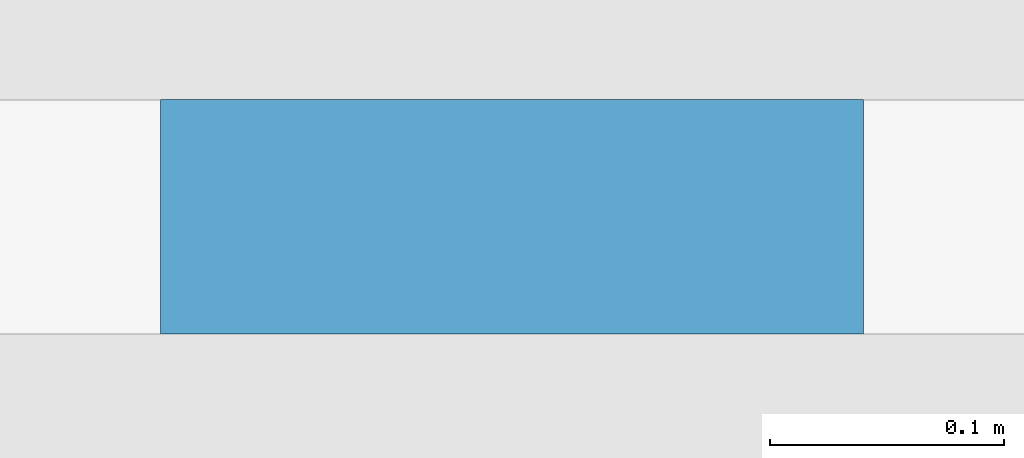
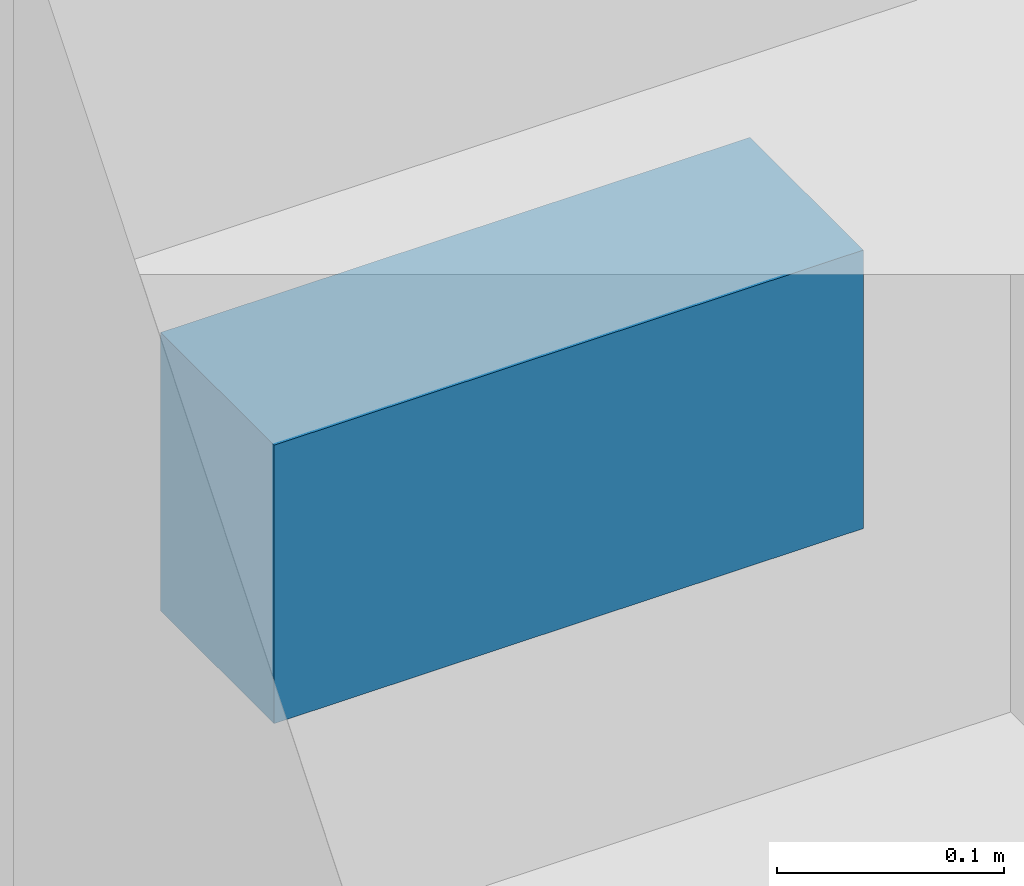
# One storey, part 39 of 45: 1 discrete accessory.
"""IFC4 building model written with IfcOpenShell, lengths in metres."""

from ifc_helpers import new_model, si_unit, direction, frame, origin, origin_2d, place, context, subcontext, project, spatial, rectangle, extrude, material, type_object, element, save


model = new_model("IFC4")

# Units and contexts
model_context = context("Model", 3, precision=1e-05, world=origin(), true_north=direction((0.0, 1.0)))
body_context = subcontext(model_context, "Body", "Model", "MODEL_VIEW")
ifc_project = project(units=[si_unit("LENGTHUNIT", "METRE"), si_unit("AREAUNIT", "SQUARE_METRE"), si_unit("VOLUMEUNIT", "CUBIC_METRE"), si_unit("PLANEANGLEUNIT", "RADIAN"), si_unit("MASSUNIT", "GRAM", prefix="KILO")], contexts=[model_context])

# Site, building, storey
site_placement = place(None, origin())
site = spatial("IfcSite", under=ifc_project, at=site_placement, CompositionType="ELEMENT")
building_placement = place(site_placement, origin())
building = spatial("IfcBuilding", under=site, at=building_placement, Name="Elmora Arch Market Hall", CompositionType="ELEMENT")
storey_placement = place(building_placement, frame((0.0, 0.0, 6.0)))
storey = spatial("IfcBuildingStorey", under=building, at=storey_placement, Name="L01", CompositionType="ELEMENT", Elevation=6.0)

# Discrete accessory
ifc_material = material(Name="Steel ASTM A653 galvanised", Category="steel")
discrete_accessory_type = type_object("IfcDiscreteAccessoryType", Name="Bracket plate 100x300x150", PredefinedType="BRACKET", material=ifc_material)
discrete_accessory_placement = place(storey_placement, frame((58.22509765625, 89.800048828125, 3.074951171875), z_axis=(0.0, 0.0, 1.0), x_axis=(1.0, 0.0, 0.0)))
element("IfcDiscreteAccessory", 1, at=discrete_accessory_placement, inside=storey, type_object=discrete_accessory_type, Name="Bracket HOOD-E-14-L01", PredefinedType="BRACKET", context=body_context, shape_type="SweptSolid", body=[
    extrude(rectangle(XDim=0.300048828125, YDim=0.10009765625, at=origin_2d()), origin(), (0.0, 0.0, 1.0), 0.14990234375),
])

save(model, "model.ifc")
